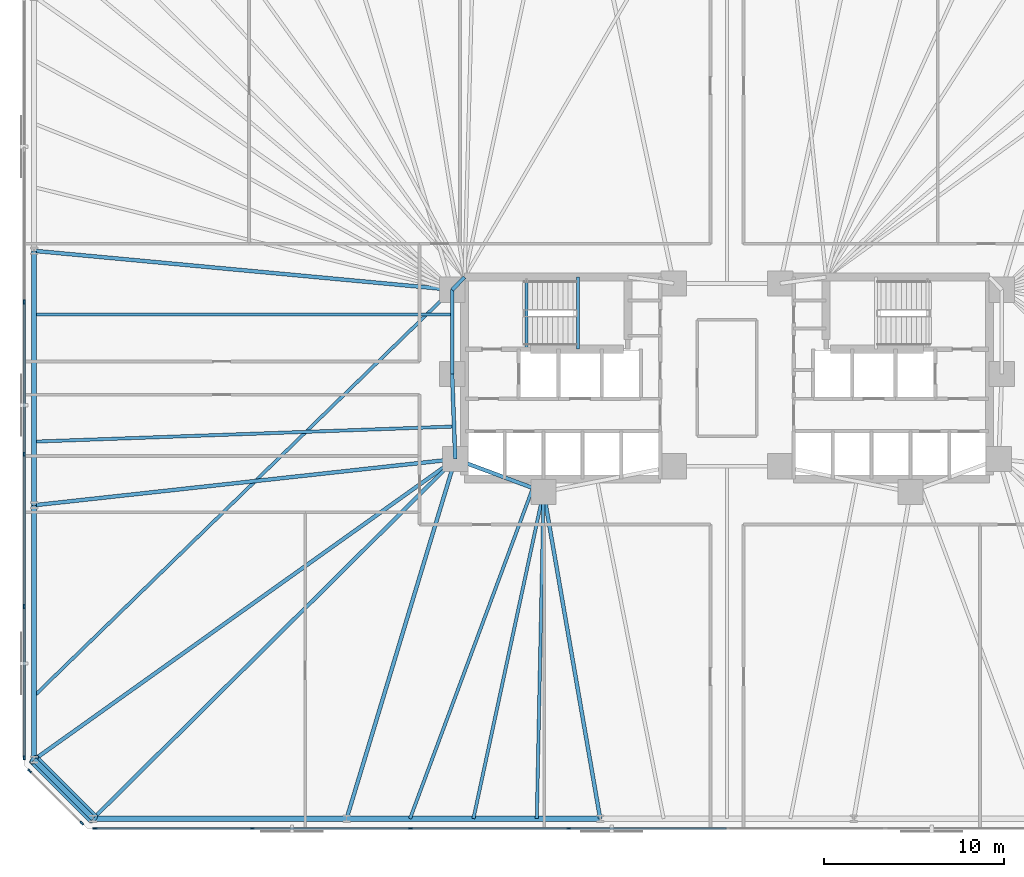
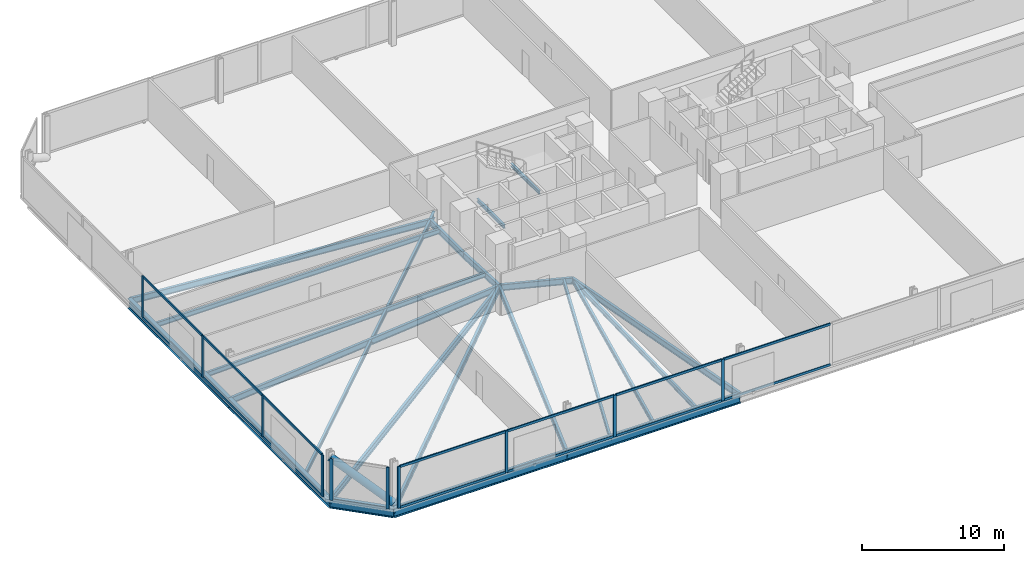
# One storey, part 6 of 17: 25 members, 23 beams, 3 elements without a shape of their own.
"""IFC4 building model written with IfcOpenShell, lengths in metres."""

from ifc_helpers import new_model, si_unit, direction, frame, origin, origin_2d, place, context, subcontext, project, spatial, rectangle, hollow_circle, i_section, extrude, material, material_profile, profile_set, type_object, element, aggregate, save


model = new_model("IFC4")

# Units and contexts
model_context = context("Model", 3, precision=1e-05, world=origin(), true_north=direction((0.0, 1.0)))
body_context = subcontext(model_context, "Body", "Model", "MODEL_VIEW")
ifc_project = project(units=[si_unit("LENGTHUNIT", "METRE"), si_unit("AREAUNIT", "SQUARE_METRE"), si_unit("VOLUMEUNIT", "CUBIC_METRE"), si_unit("PLANEANGLEUNIT", "RADIAN"), si_unit("MASSUNIT", "GRAM", prefix="KILO")], contexts=[model_context])

# Site, building, storey
site_placement = place(None, origin())
site = spatial("IfcSite", under=ifc_project, at=site_placement, CompositionType="ELEMENT")
building_placement = place(site_placement, origin())
building = spatial("IfcBuilding", under=site, at=building_placement, Name="Menara Jurai Vektor", CompositionType="ELEMENT")
storey_placement = place(building_placement, frame((0.0, 0.0, 18.0)))
storey = spatial("IfcBuildingStorey", under=building, at=storey_placement, Name="L03", CompositionType="ELEMENT", Elevation=18.0)

# Curtain wall, members
ifc_material_1 = material(Name="Anodised Pale Aluminium & Low-E Double Glazing", Category="aluminium")
curtain_wall_type = type_object("IfcCurtainWallType", Name="CW-BLK1", PredefinedType="NOTDEFINED", material=ifc_material_1)
curtain_wall_1_placement = place(storey_placement, origin())
curtain_wall_1 = element("IfcCurtainWall", 1, at=curtain_wall_1_placement, inside=storey, type_object=curtain_wall_type, Name="Unitised Curtain Wall L03 F01", PredefinedType="NOTDEFINED")
ifc_material_2 = material(Name="Anodised Pale Aluminium Mullion", Category="aluminium")
ifc_material_profile_1 = material_profile(ifc_material_2, rectangle(XDim=0.094970703125, YDim=0.239990234375, at=origin_2d()), Name="ALU MUL 95x240")
ifc_profile_set_1 = profile_set([ifc_material_profile_1], Name="Anodised Pale Aluminium Mullion")
member_type_1 = type_object("IfcMemberType", Name="CW-BLK1-MUL", PredefinedType="MULLION", material=ifc_profile_set_1)
member_1_placement = place(storey_placement, frame((-35.072509765625, -25.0, 0.0), z_axis=(0.0, 0.0, 1.0), x_axis=(0.0, 1.0, 0.0)))
member_1 = element("IfcMember", 2, at=member_1_placement, type_object=member_type_1, Name="CW-01 mullion 1", PredefinedType="MULLION", context=body_context, shape_type="SweptSolid", body=[
    extrude(rectangle(XDim=0.094970703125, YDim=0.239990234375, at=origin_2d()), origin(), (0.0, 0.0, 1.0), 3.574951171875),
])
member_2_placement = place(storey_placement, frame((-26.340087890625, -25.0, 0.0), z_axis=(0.0, 0.0, 1.0), x_axis=(0.0, 1.0, 0.0)))
member_2 = element("IfcMember", 3, at=member_2_placement, type_object=member_type_1, Name="CW-01 mullion 2", PredefinedType="MULLION", context=body_context, shape_type="SweptSolid", body=[
    extrude(rectangle(XDim=0.094970703125, YDim=0.239990234375, at=origin_2d()), origin(), (0.0, 0.0, 1.0), 3.574951171875),
])
member_3_placement = place(storey_placement, frame((-17.56005859375, -25.0, 0.0), z_axis=(0.0, 0.0, 1.0), x_axis=(0.0, 1.0, 0.0)))
member_3 = element("IfcMember", 4, at=member_3_placement, type_object=member_type_1, Name="CW-01 mullion 3", PredefinedType="MULLION", context=body_context, shape_type="SweptSolid", body=[
    extrude(rectangle(XDim=0.094970703125, YDim=0.239990234375, at=origin_2d()), origin(), (0.0, 0.0, 1.0), 3.574951171875),
])
member_4_placement = place(storey_placement, frame((-8.780029296875, -25.0, 0.0), z_axis=(0.0, 0.0, 1.0), x_axis=(0.0, 1.0, 0.0)))
member_4 = element("IfcMember", 5, at=member_4_placement, type_object=member_type_1, Name="CW-01 mullion 4", PredefinedType="MULLION", context=body_context, shape_type="SweptSolid", body=[
    extrude(rectangle(XDim=0.094970703125, YDim=0.239990234375, at=origin_2d()), origin(), (0.0, 0.0, 1.0), 3.574951171875),
])

curtain_wall_2_placement = place(storey_placement, origin())
curtain_wall_2 = element("IfcCurtainWall", 6, at=curtain_wall_2_placement, inside=storey, type_object=curtain_wall_type, Name="Unitised Curtain Wall L03 F07", PredefinedType="NOTDEFINED")
member_5_placement = place(storey_placement, frame((-39.0, 4.22412109375, 0.0), z_axis=(0.0, 0.0, 1.0), x_axis=(1.0, 0.0, 0.0)))
member_5 = element("IfcMember", 7, at=member_5_placement, type_object=member_type_1, Name="CW-01 mullion 3", PredefinedType="MULLION", context=body_context, shape_type="SweptSolid", body=[
    extrude(rectangle(XDim=0.094970703125, YDim=0.239990234375, at=origin_2d()), origin(), (0.0, 0.0, 1.0), 3.574951171875),
])
member_6_placement = place(storey_placement, frame((-39.0, -4.22412109375, 0.0), z_axis=(0.0, 0.0, 1.0), x_axis=(1.0, 0.0, 0.0)))
member_6 = element("IfcMember", 8, at=member_6_placement, type_object=member_type_1, Name="CW-01 mullion 4", PredefinedType="MULLION", context=body_context, shape_type="SweptSolid", body=[
    extrude(rectangle(XDim=0.094970703125, YDim=0.239990234375, at=origin_2d()), origin(), (0.0, 0.0, 1.0), 3.574951171875),
])
member_7_placement = place(storey_placement, frame((-39.0, -12.672119140625, 0.0), z_axis=(0.0, 0.0, 1.0), x_axis=(1.0, 0.0, 0.0)))
member_7 = element("IfcMember", 9, at=member_7_placement, type_object=member_type_1, Name="CW-01 mullion 5", PredefinedType="MULLION", context=body_context, shape_type="SweptSolid", body=[
    extrude(rectangle(XDim=0.094970703125, YDim=0.239990234375, at=origin_2d()), origin(), (0.0, 0.0, 1.0), 3.574951171875),
])
member_8_placement = place(storey_placement, frame((-39.0, -21.072509765625, 0.0), z_axis=(0.0, 0.0, 1.0), x_axis=(1.0, 0.0, 0.0)))
member_8 = element("IfcMember", 10, at=member_8_placement, type_object=member_type_1, Name="CW-01 mullion 6", PredefinedType="MULLION", context=body_context, shape_type="SweptSolid", body=[
    extrude(rectangle(XDim=0.094970703125, YDim=0.239990234375, at=origin_2d()), origin(), (0.0, 0.0, 1.0), 3.574951171875),
])

curtain_wall_3_placement = place(storey_placement, origin())
curtain_wall_3 = element("IfcCurtainWall", 11, at=curtain_wall_3_placement, inside=storey, type_object=curtain_wall_type, Name="Unitised Curtain Wall L03 F08", PredefinedType="NOTDEFINED")
member_9_placement = place(storey_placement, frame((-38.69775390625, -21.80224609375, 0.0), z_axis=(0.0, 0.0, 1.0), x_axis=(0.707106781187, 0.707106781187, 0.0)))
member_9 = element("IfcMember", 12, at=member_9_placement, type_object=member_type_1, Name="CW-01 mullion 1", PredefinedType="MULLION", context=body_context, shape_type="SweptSolid", body=[
    extrude(rectangle(XDim=0.094970703125, YDim=0.239990234375, at=origin_2d()), origin(), (0.0, 0.0, 1.0), 3.574951171875),
])
member_10_placement = place(storey_placement, frame((-35.80224609375, -24.69775390625, 0.0), z_axis=(0.0, 0.0, 1.0), x_axis=(0.707106781187, 0.707106781187, 0.0)))
member_10 = element("IfcMember", 13, at=member_10_placement, type_object=member_type_1, Name="CW-01 mullion 2", PredefinedType="MULLION", context=body_context, shape_type="SweptSolid", body=[
    extrude(rectangle(XDim=0.094970703125, YDim=0.239990234375, at=origin_2d()), origin(), (0.0, 0.0, 1.0), 3.574951171875),
])
aggregate(curtain_wall_3, [member_9, member_10])

# Member
ifc_material_3 = material(Name="Anodised Pale Aluminium Transom", Category="aluminium")
ifc_material_profile_2 = material_profile(ifc_material_3, rectangle(XDim=0.094970703125, YDim=0.199951171875, at=origin_2d()), Name="ALU TRN 95x200")
ifc_profile_set_2 = profile_set([ifc_material_profile_2], Name="Anodised Pale Aluminium Transom")
member_type_2 = type_object("IfcMemberType", Name="CW-BLK1-TRN", PredefinedType="USERDEFINED", material=ifc_profile_set_2)
member_11_placement = place(storey_placement, frame((-35.02490234375, -25.0, 0.047607421875), z_axis=(1.0, 0.0, 0.0), x_axis=(0.0, 1.0, 0.0)))
member_11 = element("IfcMember", 14, at=member_11_placement, type_object=member_type_2, Name="CW-01 transom 1.1", ObjectType="TRANSOM", PredefinedType="USERDEFINED", context=body_context, shape_type="SweptSolid", body=[
    extrude(rectangle(XDim=0.094970703125, YDim=0.199951171875, at=origin_2d()), origin(), (0.0, 0.0, 1.0), 8.637451171875),
])

member_12_placement = place(storey_placement, frame((-35.02490234375, -25.0, 3.527587890625), z_axis=(1.0, 0.0, 0.0), x_axis=(0.0, 1.0, 0.0)))
member_12 = element("IfcMember", 15, at=member_12_placement, type_object=member_type_2, Name="CW-01 transom 1.2", ObjectType="TRANSOM", PredefinedType="USERDEFINED", context=body_context, shape_type="SweptSolid", body=[
    extrude(rectangle(XDim=0.094970703125, YDim=0.199951171875, at=origin_2d()), origin(), (0.0, 0.0, 1.0), 8.637451171875),
])

member_13_placement = place(storey_placement, frame((-26.29248046875, -25.0, 0.047607421875), z_axis=(1.0, 0.0, 0.0), x_axis=(0.0, 1.0, 0.0)))
member_13 = element("IfcMember", 16, at=member_13_placement, type_object=member_type_2, Name="CW-01 transom 2.1", ObjectType="TRANSOM", PredefinedType="USERDEFINED", context=body_context, shape_type="SweptSolid", body=[
    extrude(rectangle(XDim=0.094970703125, YDim=0.199951171875, at=origin_2d()), origin(), (0.0, 0.0, 1.0), 8.68505859375),
])

member_14_placement = place(storey_placement, frame((-26.29248046875, -25.0, 3.527587890625), z_axis=(1.0, 0.0, 0.0), x_axis=(0.0, 1.0, 0.0)))
member_14 = element("IfcMember", 17, at=member_14_placement, type_object=member_type_2, Name="CW-01 transom 2.2", ObjectType="TRANSOM", PredefinedType="USERDEFINED", context=body_context, shape_type="SweptSolid", body=[
    extrude(rectangle(XDim=0.094970703125, YDim=0.199951171875, at=origin_2d()), origin(), (0.0, 0.0, 1.0), 8.68505859375),
])

member_15_placement = place(storey_placement, frame((-17.512451171875, -25.0, 0.047607421875), z_axis=(1.0, 0.0, 0.0), x_axis=(0.0, 1.0, 0.0)))
member_15 = element("IfcMember", 18, at=member_15_placement, type_object=member_type_2, Name="CW-01 transom 3.1", ObjectType="TRANSOM", PredefinedType="USERDEFINED", context=body_context, shape_type="SweptSolid", body=[
    extrude(rectangle(XDim=0.094970703125, YDim=0.199951171875, at=origin_2d()), origin(), (0.0, 0.0, 1.0), 8.68505859375),
])

member_16_placement = place(storey_placement, frame((-17.512451171875, -25.0, 3.527587890625), z_axis=(1.0, 0.0, 0.0), x_axis=(0.0, 1.0, 0.0)))
member_16 = element("IfcMember", 19, at=member_16_placement, type_object=member_type_2, Name="CW-01 transom 3.2", ObjectType="TRANSOM", PredefinedType="USERDEFINED", context=body_context, shape_type="SweptSolid", body=[
    extrude(rectangle(XDim=0.094970703125, YDim=0.199951171875, at=origin_2d()), origin(), (0.0, 0.0, 1.0), 8.68505859375),
])

member_17_placement = place(storey_placement, frame((-8.732421875, -25.0, 0.047607421875), z_axis=(1.0, 0.0, 0.0), x_axis=(0.0, 1.0, 0.0)))
member_17 = element("IfcMember", 20, at=member_17_placement, type_object=member_type_2, Name="CW-01 transom 4.1", ObjectType="TRANSOM", PredefinedType="USERDEFINED", context=body_context, shape_type="SweptSolid", body=[
    extrude(rectangle(XDim=0.094970703125, YDim=0.199951171875, at=origin_2d()), origin(), (0.0, 0.0, 1.0), 8.684814453125),
])

member_18_placement = place(storey_placement, frame((-8.732421875, -25.0, 3.527587890625), z_axis=(1.0, 0.0, 0.0), x_axis=(0.0, 1.0, 0.0)))
member_18 = element("IfcMember", 21, at=member_18_placement, type_object=member_type_2, Name="CW-01 transom 4.2", ObjectType="TRANSOM", PredefinedType="USERDEFINED", context=body_context, shape_type="SweptSolid", body=[
    extrude(rectangle(XDim=0.094970703125, YDim=0.199951171875, at=origin_2d()), origin(), (0.0, 0.0, 1.0), 8.684814453125),
])

aggregate(curtain_wall_1, [member_1, member_2, member_3, member_4, member_11, member_12, member_13, member_14, member_15, member_16, member_17, member_18])

member_19_placement = place(storey_placement, frame((-39.0, 4.176513671875, 0.047607421875), z_axis=(0.0, -1.0, 0.0), x_axis=(1.0, 0.0, 0.0)))
member_19 = element("IfcMember", 22, at=member_19_placement, type_object=member_type_2, Name="CW-01 transom 3.1", ObjectType="TRANSOM", PredefinedType="USERDEFINED", context=body_context, shape_type="SweptSolid", body=[
    extrude(rectangle(XDim=0.094970703125, YDim=0.199951171875, at=origin_2d()), origin(), (0.0, 0.0, 1.0), 8.35302734375),
])

member_20_placement = place(storey_placement, frame((-39.0, 4.176513671875, 3.527587890625), z_axis=(0.0, -1.0, 0.0), x_axis=(1.0, 0.0, 0.0)))
member_20 = element("IfcMember", 23, at=member_20_placement, type_object=member_type_2, Name="CW-01 transom 3.2", ObjectType="TRANSOM", PredefinedType="USERDEFINED", context=body_context, shape_type="SweptSolid", body=[
    extrude(rectangle(XDim=0.094970703125, YDim=0.199951171875, at=origin_2d()), origin(), (0.0, 0.0, 1.0), 8.35302734375),
])

member_21_placement = place(storey_placement, frame((-39.0, -4.271484375, 0.047607421875), z_axis=(0.0, -1.0, 0.0), x_axis=(1.0, 0.0, 0.0)))
member_21 = element("IfcMember", 24, at=member_21_placement, type_object=member_type_2, Name="CW-01 transom 4.1", ObjectType="TRANSOM", PredefinedType="USERDEFINED", context=body_context, shape_type="SweptSolid", body=[
    extrude(rectangle(XDim=0.094970703125, YDim=0.199951171875, at=origin_2d()), origin(), (0.0, 0.0, 1.0), 8.35302734375),
])

member_22_placement = place(storey_placement, frame((-39.0, -4.271484375, 3.527587890625), z_axis=(0.0, -1.0, 0.0), x_axis=(1.0, 0.0, 0.0)))
member_22 = element("IfcMember", 25, at=member_22_placement, type_object=member_type_2, Name="CW-01 transom 4.2", ObjectType="TRANSOM", PredefinedType="USERDEFINED", context=body_context, shape_type="SweptSolid", body=[
    extrude(rectangle(XDim=0.094970703125, YDim=0.199951171875, at=origin_2d()), origin(), (0.0, 0.0, 1.0), 8.35302734375),
])

member_23_placement = place(storey_placement, frame((-39.0, -12.719482421875, 0.047607421875), z_axis=(0.0, -1.0, 0.0), x_axis=(1.0, 0.0, 0.0)))
member_23 = element("IfcMember", 26, at=member_23_placement, type_object=member_type_2, Name="CW-01 transom 5.1", ObjectType="TRANSOM", PredefinedType="USERDEFINED", context=body_context, shape_type="SweptSolid", body=[
    extrude(rectangle(XDim=0.094970703125, YDim=0.199951171875, at=origin_2d()), origin(), (0.0, 0.0, 1.0), 8.305419921875),
])

member_24_placement = place(storey_placement, frame((-39.0, -12.719482421875, 3.527587890625), z_axis=(0.0, -1.0, 0.0), x_axis=(1.0, 0.0, 0.0)))
member_24 = element("IfcMember", 27, at=member_24_placement, type_object=member_type_2, Name="CW-01 transom 5.2", ObjectType="TRANSOM", PredefinedType="USERDEFINED", context=body_context, shape_type="SweptSolid", body=[
    extrude(rectangle(XDim=0.094970703125, YDim=0.199951171875, at=origin_2d()), origin(), (0.0, 0.0, 1.0), 8.305419921875),
])

aggregate(curtain_wall_2, [member_5, member_6, member_7, member_8, member_19, member_20, member_21, member_22, member_23, member_24])

# Beams
ifc_material_4 = material(Name="Steel S355", Category="steel")
ifc_material_profile_3 = material_profile(ifc_material_4, i_section(OverallWidth=0.2109375, OverallDepth=0.5390625, WebThickness=0.011962890625, FlangeThickness=0.01904296875, FilletRadius=0.012939453125, at=origin_2d()), Name="UKB 533x210x109")
ifc_profile_set_3 = profile_set([ifc_material_profile_3], Name="Steel S355")
beam_type_1 = type_object("IfcBeamType", Name="STR-BM-533", PredefinedType="BEAM", material=ifc_profile_set_3)
beam_1_placement = place(storey_placement, frame((-15.25, 4.89990234375, -0.494384765625), z_axis=(0.701871936926, 0.712303154672, 0.0), x_axis=(-0.712303154672, 0.701871936926, 0.0)))
element("IfcBeam", 28, at=beam_1_placement, inside=storey, type_object=beam_type_1, Name="Core Ring Header Girder L03-CHW-N1", PredefinedType="BEAM", context=body_context, shape_type="SweptSolid", body=[
    extrude(i_section(OverallWidth=0.2109375, OverallDepth=0.5390625, WebThickness=0.011962890625, FlangeThickness=0.01904296875, FilletRadius=0.012939453125, at=origin_2d()), origin(), (0.0, 0.0, 1.0), 0.98291015625),
])
beam_2_placement = place(storey_placement, frame((-15.25, 0.219970703125, -0.494384765625), z_axis=(0.0, 1.0, 0.0), x_axis=(-1.0, 0.0, 0.0)))
element("IfcBeam", 29, at=beam_2_placement, inside=storey, type_object=beam_type_1, Name="Core Ring Header Girder L03-CHW-W1", PredefinedType="BEAM", context=body_context, shape_type="SweptSolid", body=[
    extrude(i_section(OverallWidth=0.2109375, OverallDepth=0.5390625, WebThickness=0.011962890625, FlangeThickness=0.01904296875, FilletRadius=0.012939453125, at=origin_2d()), origin(), (0.0, 0.0, 1.0), 4.679931640625),
])
beam_3_placement = place(storey_placement, frame((-15.080078125, -4.5, -0.494384765625), z_axis=(-0.035977314146, 0.999352606874, 0.0), x_axis=(-0.999352606874, -0.035977314146, 0.0)))
element("IfcBeam", 30, at=beam_3_placement, inside=storey, type_object=beam_type_1, Name="Core Ring Header Girder L03-CHW-W2", PredefinedType="BEAM", context=body_context, shape_type="SweptSolid", body=[
    extrude(i_section(OverallWidth=0.2109375, OverallDepth=0.5390625, WebThickness=0.011962890625, FlangeThickness=0.01904296875, FilletRadius=0.012939453125, at=origin_2d()), origin(), (0.0, 0.0, 1.0), 4.72314453125),
])
beam_4_placement = place(storey_placement, frame((-15.080078125, -4.5, -0.494384765625), z_axis=(0.937424400887, -0.348188874925, 0.0), x_axis=(0.348188874925, 0.937424400887, 0.0)))
element("IfcBeam", 31, at=beam_4_placement, inside=storey, type_object=beam_type_1, Name="Core Ring Header Girder L03-CHW-S1", PredefinedType="BEAM", context=body_context, shape_type="SweptSolid", body=[
    extrude(i_section(OverallWidth=0.2109375, OverallDepth=0.5390625, WebThickness=0.011962890625, FlangeThickness=0.01904296875, FilletRadius=0.012939453125, at=origin_2d()), origin(), (0.0, 0.0, 1.0), 5.227294921875),
])
beam_5_placement = place(storey_placement, frame((-35.177734375, -24.449951171875, -0.494384765625), z_axis=(0.709709931659, 0.704494011972, 0.0), x_axis=(-0.704494011972, 0.709709931659, 0.0)))
element("IfcBeam", 32, at=beam_5_placement, inside=storey, type_object=beam_type_1, Name="Radial Floor Girder L03-S1", PredefinedType="BEAM", context=body_context, shape_type="SweptSolid", body=[
    extrude(i_section(OverallWidth=0.2109375, OverallDepth=0.5390625, WebThickness=0.011962890625, FlangeThickness=0.01904296875, FilletRadius=0.012939453125, at=origin_2d()), origin(), (0.0, 0.0, 1.0), 28.318115234375),
])
beam_6_placement = place(storey_placement, frame((-21.106689453125, -24.449951171875, -0.494384765625), z_axis=(0.289179812203, 0.957274796604, 0.0), x_axis=(-0.957274796604, 0.289179812203, 0.0)))
element("IfcBeam", 33, at=beam_6_placement, inside=storey, type_object=beam_type_1, Name="Radial Floor Girder L03-S2", PredefinedType="BEAM", context=body_context, shape_type="SweptSolid", body=[
    extrude(i_section(OverallWidth=0.2109375, OverallDepth=0.5390625, WebThickness=0.011962890625, FlangeThickness=0.01904296875, FilletRadius=0.012939453125, at=origin_2d()), origin(), (0.0, 0.0, 1.0), 20.84033203125),
])
beam_7_placement = place(storey_placement, frame((-7.03564453125, -24.449951171875, -0.494384765625), z_axis=(-0.170880325642, 0.985291791455, 0.0), x_axis=(-0.985291791455, -0.170880325642, 0.0)))
element("IfcBeam", 34, at=beam_7_placement, inside=storey, type_object=beam_type_1, Name="Radial Floor Girder L03-S3", PredefinedType="BEAM", context=body_context, shape_type="SweptSolid", body=[
    extrude(i_section(OverallWidth=0.2109375, OverallDepth=0.5390625, WebThickness=0.011962890625, FlangeThickness=0.01904296875, FilletRadius=0.012939453125, at=origin_2d()), origin(), (0.0, 0.0, 1.0), 18.400634765625),
])
beam_8_placement = place(storey_placement, frame((-38.449951171875, 7.059326171875, -0.494384765625), z_axis=(0.995696113112, -0.092678208514, 0.0), x_axis=(0.092678208514, 0.995696113112, 0.0)))
element("IfcBeam", 35, at=beam_8_placement, inside=storey, type_object=beam_type_1, Name="Radial Floor Girder L03-W2", PredefinedType="BEAM", context=body_context, shape_type="SweptSolid", body=[
    extrude(i_section(OverallWidth=0.2109375, OverallDepth=0.5390625, WebThickness=0.011962890625, FlangeThickness=0.01904296875, FilletRadius=0.012939453125, at=origin_2d()), origin(), (0.0, 0.0, 1.0), 23.30029296875),
])
beam_9_placement = place(storey_placement, frame((-38.449951171875, -7.059326171875, -0.494384765625), z_axis=(0.994056757953, 0.108863042253, 0.0), x_axis=(-0.108863042253, 0.994056757953, 0.0)))
element("IfcBeam", 36, at=beam_9_placement, inside=storey, type_object=beam_type_1, Name="Radial Floor Girder L03-W3", PredefinedType="BEAM", context=body_context, shape_type="SweptSolid", body=[
    extrude(i_section(OverallWidth=0.2109375, OverallDepth=0.5390625, WebThickness=0.011962890625, FlangeThickness=0.01904296875, FilletRadius=0.012939453125, at=origin_2d()), origin(), (0.0, 0.0, 1.0), 23.509521484375),
])
beam_10_placement = place(storey_placement, frame((-38.449951171875, -21.177734375, -0.494384765625), z_axis=(0.813981033216, 0.580891450759, 0.0), x_axis=(-0.580891450759, 0.813981033216, 0.0)))
element("IfcBeam", 37, at=beam_10_placement, inside=storey, type_object=beam_type_1, Name="Radial Floor Girder L03-W4", PredefinedType="BEAM", context=body_context, shape_type="SweptSolid", body=[
    extrude(i_section(OverallWidth=0.2109375, OverallDepth=0.5390625, WebThickness=0.011962890625, FlangeThickness=0.01904296875, FilletRadius=0.012939453125, at=origin_2d()), origin(), (0.0, 0.0, 1.0), 28.710693359375),
])

# Member
ifc_material_5 = material(Name="Steel S460", Category="steel")
ifc_material_profile_4 = material_profile(ifc_material_5, hollow_circle(Radius=0.304931640625, WallThickness=0.02490234375, at=origin_2d()), Name="CHS 610x25")
ifc_profile_set_4 = profile_set([ifc_material_profile_4], Name="Steel S460")
member_type_3 = type_object("IfcMemberType", Name="STR-BR-610", PredefinedType="BRACE", material=ifc_profile_set_4)
member_25_placement = place(storey_placement, frame((-35.177734375, -24.449951171875, 0.14990234375), z_axis=(-0.588928100616, 0.588928100616, 0.55346850372), x_axis=(-0.707106781187, -0.707106781187, 0.0)))
element("IfcMember", 38, at=member_25_placement, inside=storey, type_object=member_type_3, Name="Exoskeleton Corner Brace L03-4", PredefinedType="BRACE", context=body_context, shape_type="SweptSolid", body=[
    extrude(hollow_circle(Radius=0.304931640625, WallThickness=0.02490234375, at=origin_2d()), origin(), (0.0, 0.0, 1.0), 5.55615234375),
])

# Beams
ifc_material_profile_5 = material_profile(ifc_material_4, i_section(OverallWidth=0.178955078125, OverallDepth=0.408935546875, WebThickness=0.009033203125, FlangeThickness=0.013916015625, FilletRadius=0.010009765625, at=origin_2d()), Name="UKB 406x178x67")
ifc_profile_set_5 = profile_set([ifc_material_profile_5], Name="Steel S355")
beam_type_2 = type_object("IfcBeamType", Name="STR-JS-406", PredefinedType="JOIST", material=ifc_profile_set_5)
beam_11_placement = place(storey_placement, frame((-17.5888671875, -24.449951171875, -0.429443359375), z_axis=(0.348179014223, 0.937428063403, 0.0), x_axis=(-0.937428063403, 0.348179014223, 0.0)))
element("IfcBeam", 39, at=beam_11_placement, inside=storey, type_object=beam_type_2, Name="Radial Secondary Floor Joist L03-JS01", PredefinedType="JOIST", context=body_context, shape_type="SweptSolid", body=[
    extrude(i_section(OverallWidth=0.178955078125, OverallDepth=0.408935546875, WebThickness=0.009033203125, FlangeThickness=0.013916015625, FilletRadius=0.010009765625, at=origin_2d()), origin(), (0.0, 0.0, 1.0), 19.5751953125),
])
beam_12_placement = place(storey_placement, frame((-14.071044921875, -24.449951171875, -0.429443359375), z_axis=(0.209845584412, 0.977734539997, 0.0), x_axis=(-0.977734539997, 0.209845584412, 0.0)))
element("IfcBeam", 40, at=beam_12_placement, inside=storey, type_object=beam_type_2, Name="Radial Secondary Floor Joist L03-JS02", PredefinedType="JOIST", context=body_context, shape_type="SweptSolid", body=[
    extrude(i_section(OverallWidth=0.178955078125, OverallDepth=0.408935546875, WebThickness=0.009033203125, FlangeThickness=0.013916015625, FilletRadius=0.010009765625, at=origin_2d()), origin(), (0.0, 0.0, 1.0), 18.542724609375),
])
beam_13_placement = place(storey_placement, frame((-10.55322265625, -24.449951171875, -0.429443359375), z_axis=(0.020585456509, 0.999788097039, 0.0), x_axis=(-0.999788097039, 0.020585456509, 0.0)))
element("IfcBeam", 41, at=beam_13_placement, inside=storey, type_object=beam_type_2, Name="Radial Secondary Floor Joist L03-JS03", PredefinedType="JOIST", context=body_context, shape_type="SweptSolid", body=[
    extrude(i_section(OverallWidth=0.178955078125, OverallDepth=0.408935546875, WebThickness=0.009033203125, FlangeThickness=0.013916015625, FilletRadius=0.010009765625, at=origin_2d()), origin(), (0.0, 0.0, 1.0), 18.1337890625),
])
beam_14_placement = place(storey_placement, frame((-38.449951171875, 3.529541015625, -0.429443359375), z_axis=(1.0, 0.0, 0.0), x_axis=(0.0, 1.0, 0.0)))
element("IfcBeam", 42, at=beam_14_placement, inside=storey, type_object=beam_type_2, Name="Radial Secondary Floor Joist L03-JS35", PredefinedType="JOIST", context=body_context, shape_type="SweptSolid", body=[
    extrude(i_section(OverallWidth=0.178955078125, OverallDepth=0.408935546875, WebThickness=0.009033203125, FlangeThickness=0.013916015625, FilletRadius=0.010009765625, at=origin_2d()), origin(), (0.0, 0.0, 1.0), 23.199951171875),
])
beam_15_placement = place(storey_placement, frame((-38.449951171875, -3.529541015625, -0.429443359375), z_axis=(0.999352032814, 0.035993256462, 0.0), x_axis=(-0.035993256462, 0.999352032814, 0.0)))
element("IfcBeam", 43, at=beam_15_placement, inside=storey, type_object=beam_type_2, Name="Radial Secondary Floor Joist L03-JS36", PredefinedType="JOIST", context=body_context, shape_type="SweptSolid", body=[
    extrude(i_section(OverallWidth=0.178955078125, OverallDepth=0.408935546875, WebThickness=0.009033203125, FlangeThickness=0.013916015625, FilletRadius=0.010009765625, at=origin_2d()), origin(), (0.0, 0.0, 1.0), 23.31982421875),
])
beam_16_placement = place(storey_placement, frame((-38.449951171875, -17.648193359375, -0.429443359375), z_axis=(0.71710942187, 0.696960599363, 0.0), x_axis=(-0.696960599363, 0.71710942187, 0.0)))
element("IfcBeam", 44, at=beam_16_placement, inside=storey, type_object=beam_type_2, Name="Radial Secondary Floor Joist L03-JS37", PredefinedType="JOIST", context=body_context, shape_type="SweptSolid", body=[
    extrude(i_section(OverallWidth=0.178955078125, OverallDepth=0.408935546875, WebThickness=0.009033203125, FlangeThickness=0.013916015625, FilletRadius=0.010009765625, at=origin_2d()), origin(), (0.0, 0.0, 1.0), 32.35205078125),
])
ifc_material_profile_6 = material_profile(ifc_material_4, i_section(OverallWidth=0.1650390625, OverallDepth=0.302978515625, WebThickness=0.006103515625, FlangeThickness=0.010009765625, FilletRadius=0.009033203125, at=origin_2d()), Name="UKB 305x165x40")
ifc_profile_set_6 = profile_set([ifc_material_profile_6], Name="Steel S355")
beam_type_3 = type_object("IfcBeamType", Name="STR-LN-305", PredefinedType="LINTEL", material=ifc_profile_set_6)
beam_17_placement = place(storey_placement, frame((-11.1201171875, 1.60009765625, -0.37646484375), z_axis=(0.0, 1.0, 0.0), x_axis=(-1.0, 0.0, 0.0)))
element("IfcBeam", 45, at=beam_17_placement, inside=storey, type_object=beam_type_3, Name="Stair Well Floor Trimmer ST1 L03", PredefinedType="LINTEL", context=body_context, shape_type="SweptSolid", body=[
    extrude(i_section(OverallWidth=0.1650390625, OverallDepth=0.302978515625, WebThickness=0.006103515625, FlangeThickness=0.010009765625, FilletRadius=0.009033203125, at=origin_2d()), origin(), (0.0, 0.0, 1.0), 3.81982421875),
])
beam_18_placement = place(storey_placement, frame((-8.27001953125, 1.60009765625, 1.548583984375), z_axis=(0.0, 1.0, 0.0), x_axis=(-1.0, 0.0, 0.0)))
element("IfcBeam", 46, at=beam_18_placement, inside=storey, type_object=beam_type_3, Name="Stair Half-Landing Nosing Trimmer ST1-1 L03", PredefinedType="LINTEL", context=body_context, shape_type="SweptSolid", body=[
    extrude(i_section(OverallWidth=0.1650390625, OverallDepth=0.302978515625, WebThickness=0.006103515625, FlangeThickness=0.010009765625, FilletRadius=0.009033203125, at=origin_2d()), origin(), (0.0, 0.0, 1.0), 4.0),
])
ifc_material_profile_7 = material_profile(ifc_material_5, i_section(OverallWidth=0.2939453125, OverallDepth=0.85107421875, WebThickness=0.01611328125, FlangeThickness=0.027099609375, FilletRadius=0.01806640625, at=origin_2d()), Name="UKB 838x292x226")
ifc_profile_set_7 = profile_set([ifc_material_profile_7], Name="Steel S460")
beam_type_4 = type_object("IfcBeamType", Name="STR-SP-838", PredefinedType="SPANDREL", material=ifc_profile_set_7)
for number, where, z_axis, x_axis, name in (
    (47, (-35.177734375, -24.449951171875, -0.650390625), (1.0, 0.0, 0.0), (0.0, 1.0, 0.0), "Exoskeleton Spandrel Beam L03-01"),
    (48, (-21.106689453125, -24.449951171875, -0.650390625), (1.0, 0.0, 0.0), (0.0, 1.0, 0.0), "Exoskeleton Spandrel Beam L03-02"),
):
    element("IfcBeam", number, at=place(storey_placement, frame(where, z_axis=z_axis, x_axis=x_axis)), inside=storey, type_object=beam_type_4, Name=name, PredefinedType="SPANDREL", context=body_context, shape_type="SweptSolid", body=[
        extrude(i_section(OverallWidth=0.2939453125, OverallDepth=0.85107421875, WebThickness=0.01611328125, FlangeThickness=0.027099609375, FilletRadius=0.01806640625, at=origin_2d()), origin(), (0.0, 0.0, 1.0), 14.071044921875),
    ])
beam_19_placement = place(storey_placement, frame((-38.449951171875, 7.059326171875, -0.650390625), z_axis=(0.0, -1.0, 0.0), x_axis=(1.0, 0.0, 0.0)))
element("IfcBeam", 49, at=beam_19_placement, inside=storey, type_object=beam_type_4, Name="Exoskeleton Spandrel Beam L03-18", PredefinedType="SPANDREL", context=body_context, shape_type="SweptSolid", body=[
    extrude(i_section(OverallWidth=0.2939453125, OverallDepth=0.85107421875, WebThickness=0.01611328125, FlangeThickness=0.027099609375, FilletRadius=0.01806640625, at=origin_2d()), origin(), (0.0, 0.0, 1.0), 14.11865234375),
])
beam_20_placement = place(storey_placement, frame((-38.449951171875, -7.059326171875, -0.650390625), z_axis=(0.0, -1.0, 0.0), x_axis=(1.0, 0.0, 0.0)))
element("IfcBeam", 50, at=beam_20_placement, inside=storey, type_object=beam_type_4, Name="Exoskeleton Spandrel Beam L03-19", PredefinedType="SPANDREL", context=body_context, shape_type="SweptSolid", body=[
    extrude(i_section(OverallWidth=0.2939453125, OverallDepth=0.85107421875, WebThickness=0.01611328125, FlangeThickness=0.027099609375, FilletRadius=0.01806640625, at=origin_2d()), origin(), (0.0, 0.0, 1.0), 14.118408203125),
])
beam_21_placement = place(storey_placement, frame((-38.449951171875, -21.177734375, -0.650390625), z_axis=(0.707106781187, -0.707106781187, 0.0), x_axis=(0.707106781187, 0.707106781187, 0.0)))
element("IfcBeam", 51, at=beam_21_placement, inside=storey, type_object=beam_type_4, Name="Exoskeleton Spandrel Beam L03-20", PredefinedType="SPANDREL", context=body_context, shape_type="SweptSolid", body=[
    extrude(i_section(OverallWidth=0.2939453125, OverallDepth=0.85107421875, WebThickness=0.01611328125, FlangeThickness=0.027099609375, FilletRadius=0.01806640625, at=origin_2d()), origin(), (0.0, 0.0, 1.0), 4.627685546875),
])

save(model, "model.ifc")
